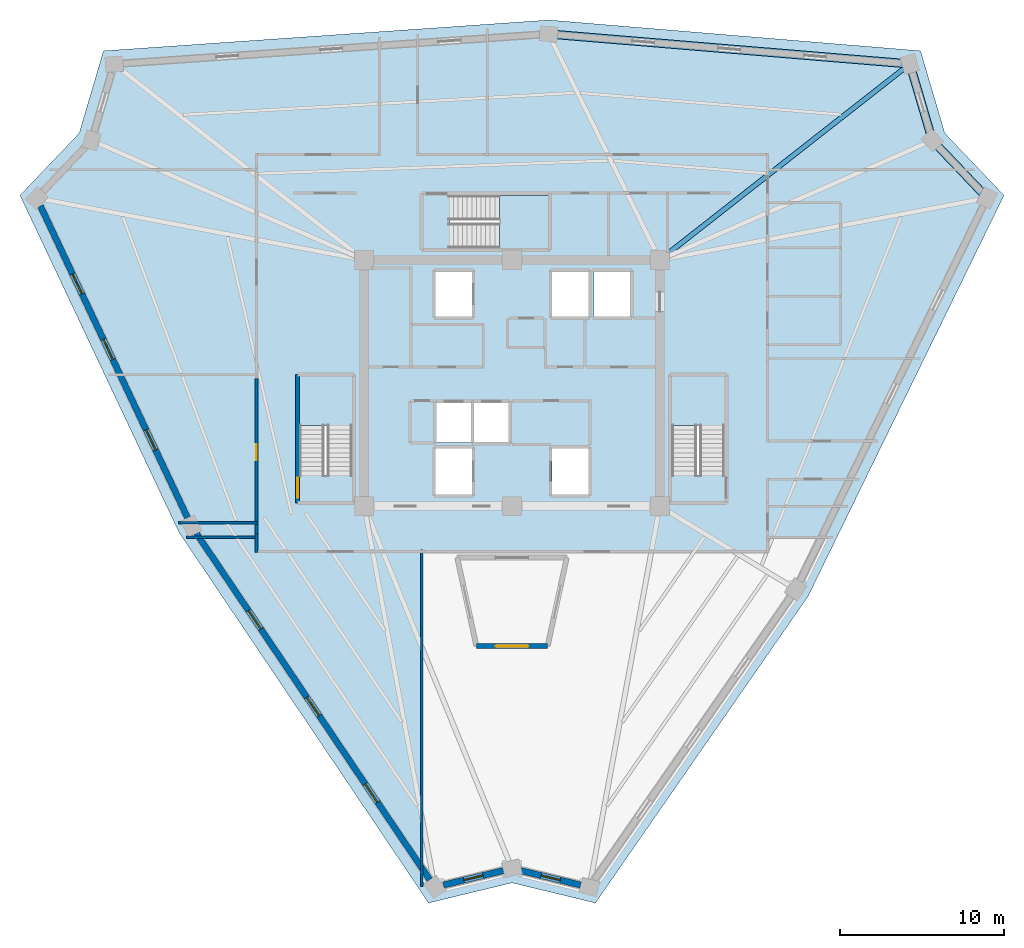
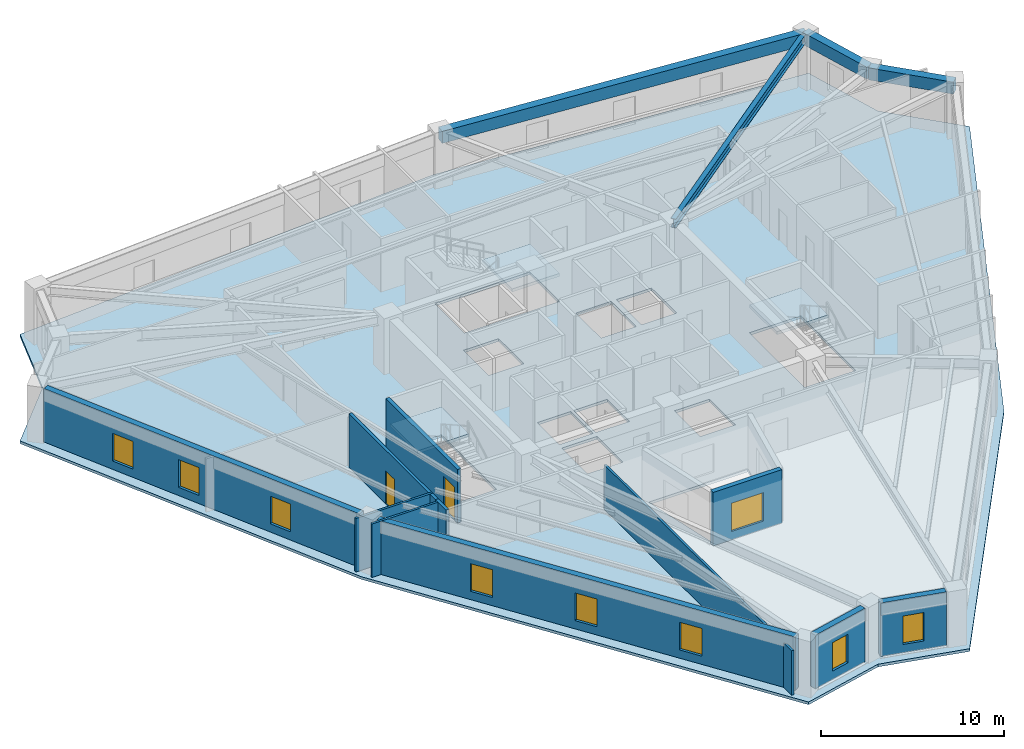
# One storey, part 2 of 10: 11 walls, 9 windows, 4 beams, 4 slabs, 2 doors, 11 openings, 3 elements without a shape of their own.
"""IFC4 building model written with IfcOpenShell, lengths in metres."""

import ifcopenshell
import ifcopenshell.guid

model = None  # the IFC model being written
_history = None  # IfcOwnerHistory: only IFC2X3 demands one
_inside = {}  # id of a spatial element -> (the spatial element, [elements in it])
_under = {}  # id of a project, library or spatial element -> (it, [spatial elements below it])
_declared = {}  # id of a project -> (the project, [libraries it declares])
_typed = {}  # id of a type object -> (the type object, [elements of that type])
_made_of = {}  # id of a material, layer set ... -> (it, [elements and type objects made of it])


def new_model(schema):
    """Start an empty IFC model of exactly this schema.

    Asked for "IFC4X3", IfcOpenShell would pick the latest addendum, in which some entities
    have other attributes; the version numbers below select the first issue.
    IFC2X3 requires an IfcOwnerHistory on every rooted entity: one is made here for all.
    """
    global model, _history
    if schema == "IFC4X3":
        model = ifcopenshell.file(schema_version=(4, 3, 0, 0))
    else:
        model = ifcopenshell.file(schema=schema)
    _inside.clear()
    _under.clear()
    _declared.clear()
    _typed.clear()
    _made_of.clear()
    _history = None
    if model.schema == "IFC2X3":
        org = make("IfcOrganization", Name="unknown")
        user = make(
            "IfcPersonAndOrganization",
            ThePerson=make("IfcPerson", FamilyName="unknown"),
            TheOrganization=org,
        )
        app = make(
            "IfcApplication",
            ApplicationDeveloper=org,
            Version="unknown",
            ApplicationFullName="unknown",
            ApplicationIdentifier="unknown",
        )
        _history = make(
            "IfcOwnerHistory",
            OwningUser=user,
            OwningApplication=app,
            ChangeAction="ADDED",
            CreationDate=0,
        )
    return model


def make(cls, **values):
    """One entity of the class cls with the attributes given. An attribute that is None is left unset."""
    return model.create_entity(
        cls, **{name: value for name, value in values.items() if value is not None}
    )


def rooted(cls, **values):
    """An entity with a GlobalId (a new one), such as an element, a storey or a relation."""
    return make(cls, GlobalId=ifcopenshell.guid.new(), OwnerHistory=_history, **values)


def si_unit(unit_type, name, prefix=None):
    """IfcSIUnit, for example si_unit("LENGTHUNIT", "METRE", prefix="MILLI")."""
    return make("IfcSIUnit", UnitType=unit_type, Prefix=prefix, Name=name)


def assignment(units):
    """IfcUnitAssignment: the units of a project."""
    return None if units is None else make("IfcUnitAssignment", Units=units)


def point(xyz):
    """IfcCartesianPoint."""
    return None if xyz is None else make("IfcCartesianPoint", Coordinates=xyz)


def direction(xyz):
    """IfcDirection."""
    return None if xyz is None else make("IfcDirection", DirectionRatios=xyz)


def frame(location, z_axis=None, x_axis=None):
    """IfcAxis2Placement3D, a coordinate frame: its origin and axes. An axis left out is left unset."""
    return make(
        "IfcAxis2Placement3D",
        Location=point(location),
        Axis=direction(z_axis),
        RefDirection=direction(x_axis),
    )


def frame_2d(location, x_axis=None):
    """IfcAxis2Placement2D, a coordinate frame in the plane: its origin and x axis."""
    return make(
        "IfcAxis2Placement2D", Location=point(location), RefDirection=direction(x_axis)
    )


def origin():
    """The frame at (0, 0, 0) with its axes left unset."""
    return frame((0.0, 0.0, 0.0))


def origin_2d():
    """The frame at (0, 0) in the plane with its x axis left unset."""
    return frame_2d((0.0, 0.0))


def place(relative_to, where):
    """IfcLocalPlacement: puts the frame where relative to a parent placement (None: the world)."""
    return make(
        "IfcLocalPlacement", PlacementRelTo=relative_to, RelativePlacement=where
    )


def context(
    kind, dimensions, precision=None, world=None, true_north=None, identifier=None
):
    """IfcGeometricRepresentationContext, for example the 3D "Model" context."""
    return make(
        "IfcGeometricRepresentationContext",
        ContextIdentifier=identifier,
        ContextType=kind,
        CoordinateSpaceDimension=dimensions,
        Precision=precision,
        WorldCoordinateSystem=world,
        TrueNorth=true_north,
    )


def subcontext(parent, identifier, kind, view, scale=None):
    """IfcGeometricRepresentationSubContext, for example "Body" below "Model"."""
    return make(
        "IfcGeometricRepresentationSubContext",
        ContextIdentifier=identifier,
        ContextType=kind,
        ParentContext=parent,
        TargetScale=scale,
        TargetView=view,
    )


def project(units=None, contexts=None):
    """IfcProject with its units and contexts."""
    return rooted(
        "IfcProject",
        Name="project",
        RepresentationContexts=contexts,
        UnitsInContext=assignment(units),
    )


def spatial(cls, under=None, at=None, **own):
    """A site, building, storey or space (cls), placed at a placement, below another one or the project."""
    s = rooted(cls, ObjectPlacement=at, **own)
    if under is not None:
        _under.setdefault(under.id(), (under, []))[1].append(s)
    return s


def polyline(points):
    """IfcPolyline through the points."""
    return make("IfcPolyline", Points=[point(p) for p in points])


def profile(cls, at=None, kind="AREA", **sizes):
    """A parametric profile (cls). Its sizes go by their IFC names, for example OverallWidth=200.0."""
    return make(cls, ProfileType=kind, Position=at, **sizes)


def rectangle(**sizes):
    """IfcRectangleProfileDef."""
    return profile("IfcRectangleProfileDef", **sizes)


def i_section(**sizes):
    """IfcIShapeProfileDef."""
    return profile("IfcIShapeProfileDef", **sizes)


def outline(outer, holes=None, kind="AREA"):
    """IfcArbitraryClosedProfileDef: a profile drawn as a closed curve; with holes, ...WithVoids."""
    if holes is None:
        return make("IfcArbitraryClosedProfileDef", ProfileType=kind, OuterCurve=outer)
    return make(
        "IfcArbitraryProfileDefWithVoids",
        ProfileType=kind,
        OuterCurve=outer,
        InnerCurves=holes,
    )


def extrude(swept, where, along, depth):
    """IfcExtrudedAreaSolid: the profile swept, set in the frame where, extruded along a direction by depth."""
    return make(
        "IfcExtrudedAreaSolid",
        SweptArea=swept,
        Position=where,
        ExtrudedDirection=direction(along),
        Depth=depth,
    )


def shape(context_of_items, identifier, shape_type, items):
    """IfcShapeRepresentation: the items that make up one representation, for example the "Body"."""
    return make(
        "IfcShapeRepresentation",
        ContextOfItems=context_of_items,
        RepresentationIdentifier=identifier,
        RepresentationType=shape_type,
        Items=items,
    )


def source(mapping_origin, context_of_items, identifier, shape_type, items):
    """IfcRepresentationMap: a shape defined once, which mapped items show again and again."""
    return make(
        "IfcRepresentationMap",
        MappingOrigin=mapping_origin,
        MappedRepresentation=shape(context_of_items, identifier, shape_type, items),
    )


def transform(
    local_origin,
    x_axis=None,
    y_axis=None,
    z_axis=None,
    scale=None,
    scale2=None,
    scale3=None,
    uniform=True,
):
    """IfcCartesianTransformationOperator3D, or its non-uniform kind. x_axis, y_axis, z_axis: its Axis1, 2, 3."""
    if uniform:
        return make(
            "IfcCartesianTransformationOperator3D",
            Axis1=direction(x_axis),
            Axis2=direction(y_axis),
            LocalOrigin=point(local_origin),
            Scale=scale,
            Axis3=direction(z_axis),
        )
    return make(
        "IfcCartesianTransformationOperator3DnonUniform",
        Axis1=direction(x_axis),
        Axis2=direction(y_axis),
        LocalOrigin=point(local_origin),
        Scale=scale,
        Axis3=direction(z_axis),
        Scale2=scale2,
        Scale3=scale3,
    )


def mapped(mapping_source, mapping_target):
    """IfcMappedItem: shows the shape of a source again, moved by a transform."""
    return make(
        "IfcMappedItem", MappingSource=mapping_source, MappingTarget=mapping_target
    )


def material(Name=None, Category=None):
    """IfcMaterial."""
    return make("IfcMaterial", Name=Name, Category=Category)


def layer(
    of_material, thickness, ventilated=None, Name=None, Category=None, Priority=None
):
    """IfcMaterialLayer: one layer of a wall or slab, of a material (None: an air gap)."""
    return make(
        "IfcMaterialLayer",
        Material=of_material,
        LayerThickness=thickness,
        IsVentilated=ventilated,
        Name=Name,
        Category=Category,
        Priority=Priority,
    )


def layer_set(layers, Name=None):
    """IfcMaterialLayerSet."""
    return make("IfcMaterialLayerSet", MaterialLayers=layers, LayerSetName=Name)


def material_profile(
    of_material, cross_section, Name=None, Category=None, Priority=None
):
    """IfcMaterialProfile: a cross section and its material."""
    return make(
        "IfcMaterialProfile",
        Name=Name,
        Material=of_material,
        Profile=cross_section,
        Priority=Priority,
        Category=Category,
    )


def profile_set(profiles, Name=None, composite=None):
    """IfcMaterialProfileSet."""
    return make(
        "IfcMaterialProfileSet",
        Name=Name,
        MaterialProfiles=profiles,
        CompositeProfile=composite,
    )


def made_of(thing, what):
    """Note that an element or type object is made of a material, layer set ...; save() writes the relation."""
    if what is not None:
        _made_of.setdefault(what.id(), (what, []))[1].append(thing)
    return thing


def type_object(cls, material=None, **own):
    """A type object (cls), such as IfcWallType, which elements share."""
    return made_of(rooted(cls, **own), material)


def element(
    cls,
    number,
    at=None,
    inside=None,
    cuts=None,
    type_object=None,
    material=None,
    context=None,
    identifier="Body",
    shape_type=None,
    held_by="IfcProductDefinitionShape",
    body=None,
    shapes=None,
    **own,
):
    """One element of the class cls, such as IfcWall. Its Tag is "e" and its number.

    at: its placement. inside: the storey or other place that contains it. cuts: it is an
    opening in that element (IfcRelVoidsElement). A single representation is given by context,
    identifier, shape_type and body (its items); several are given by shapes. held_by: the class
    of the entity that holds the representations. save() writes the other relations.
    """
    e = rooted(cls, Tag="e%d" % number, ObjectPlacement=at, **own)
    if body is not None:
        shapes = [shape(context, identifier, shape_type, body)]
    if shapes is not None:
        e.Representation = make(held_by, Representations=shapes)
    if inside is not None:
        _inside.setdefault(inside.id(), (inside, []))[1].append(e)
    if cuts is not None:
        rooted(
            "IfcRelVoidsElement", RelatingBuildingElement=cuts, RelatedOpeningElement=e
        )
    if type_object is not None:
        _typed.setdefault(type_object.id(), (type_object, []))[1].append(e)
    return made_of(e, material)


def fill(opening, filler):
    """IfcRelFillsElement: the door or window that sits in an opening."""
    return rooted(
        "IfcRelFillsElement",
        RelatingOpeningElement=opening,
        RelatedBuildingElement=filler,
    )


def aggregate(whole, parts):
    """IfcRelAggregates: a whole, such as a stair, and the parts it consists of."""
    return rooted("IfcRelAggregates", RelatingObject=whole, RelatedObjects=parts)


def save(model, path):
    """Write the relations noted so far, then the file.

    IfcRelAggregates (storeys below a building ...), IfcRelContainedInSpatialStructure (elements
    in a storey), IfcRelDefinesByType, IfcRelAssociatesMaterial and IfcRelDeclares: one each for
    every whole, place, type object, material and project.
    """
    for whole, parts in _under.values():
        aggregate(whole, parts)
    for where, things in _inside.values():
        rooted(
            "IfcRelContainedInSpatialStructure",
            RelatedElements=things,
            RelatingStructure=where,
        )
    for kind, things in _typed.values():
        rooted("IfcRelDefinesByType", RelatedObjects=things, RelatingType=kind)
    for what, things in _made_of.values():
        rooted("IfcRelAssociatesMaterial", RelatedObjects=things, RelatingMaterial=what)
    for by, libraries in _declared.values():
        rooted("IfcRelDeclares", RelatingContext=by, RelatedDefinitions=libraries)
    model.write(path)


model = new_model("IFC4")

# Units and contexts
model_context = context("Model", 3, precision=1e-05, world=origin(), true_north=direction((0.0, 1.0)))
body_context = subcontext(model_context, "Body", "Model", "MODEL_VIEW")
ifc_project = project(units=[si_unit("LENGTHUNIT", "METRE"), si_unit("AREAUNIT", "SQUARE_METRE"), si_unit("VOLUMEUNIT", "CUBIC_METRE"), si_unit("PLANEANGLEUNIT", "RADIAN"), si_unit("MASSUNIT", "GRAM", prefix="KILO")], contexts=[model_context])

# Site, building, storey
site_placement = place(None, origin())
site = spatial("IfcSite", under=ifc_project, at=site_placement, CompositionType="ELEMENT")
building_placement = place(site_placement, origin())
building = spatial("IfcBuilding", under=site, at=building_placement, Name="Liaohun Quay Tower", CompositionType="ELEMENT")
storey_placement = place(building_placement, frame((0.0, 0.0, 339.75)))
storey = spatial("IfcBuildingStorey", under=building, at=storey_placement, Name="L88", CompositionType="ELEMENT", Elevation=339.75)

# Beams
ifc_material_1 = material(Name="Steel Q355D", Category="steel")
ifc_material_profile_1 = material_profile(ifc_material_1, i_section(OverallWidth=0.300048828125, OverallDepth=0.587890625, WebThickness=0.011962890625, FlangeThickness=0.02001953125, at=origin_2d()), Name="HM588x300x12x20")
ifc_profile_set_1 = profile_set([ifc_material_profile_1], Name="Steel Q355D")
beam_type_1 = type_object("IfcBeamType", Name="BM-RAD-U2", PredefinedType="BEAM", material=ifc_profile_set_1)
shared_shape_1 = source(origin(), body_context, "Body", "SweptSolid", [
    extrude(i_section(OverallWidth=0.300048828125, OverallDepth=0.587890625, WebThickness=0.011962890625, FlangeThickness=0.02001953125, at=origin_2d()), origin(), (0.0, 0.0, 1.0), 19.355224609375),
])
beam_1_placement = place(storey_placement, frame((69.0, 61.5, 3.27587890625), z_axis=(0.787132213405, 0.616784304778, 0.0), x_axis=(-0.616784304778, 0.787132213405, 0.0)))
element("IfcBeam", 1, at=beam_1_placement, inside=storey, type_object=beam_type_1, Name="L88 Radial Primary Girder CC4-PC07", PredefinedType="BEAM", context=body_context, shape_type="MappedRepresentation", body=[
    mapped(shared_shape_1, transform((0.0, 0.0, 0.0), x_axis=(1.0, 0.0, 0.0), y_axis=(0.0, 1.0, 0.0), z_axis=(0.0, 0.0, 1.0), scale=1.0)),
])
ifc_material_2 = material(Name="Precast concrete C50", Category="concrete")
ifc_material_profile_2 = material_profile(ifc_material_2, rectangle(XDim=0.5, YDim=0.800048828125, at=origin_2d()), Name="RC500x800")
ifc_profile_set_2 = profile_set([ifc_material_profile_2], Name="Precast concrete C50")
beam_type_2 = type_object("IfcBeamType", Name="BM-SPD-Z4", PredefinedType="SPANDREL", material=ifc_profile_set_2)
shared_shape_2 = source(origin(), body_context, "Body", "SweptSolid", [
    extrude(rectangle(XDim=0.5, YDim=0.800048828125, at=origin_2d()), origin(), (0.0, 0.0, 1.0), 22.07666015625),
])
beam_2_placement = place(storey_placement, frame((62.23388671875, 75.262939453125, 3.169921875), z_axis=(0.996577488484, -0.082663833976, 0.0), x_axis=(0.082663833976, 0.996577488484, 0.0)))
element("IfcBeam", 2, at=beam_2_placement, inside=storey, type_object=beam_type_2, Name="L88 Precast Spandrel Beam PC06-PC07", PredefinedType="SPANDREL", context=body_context, shape_type="MappedRepresentation", body=[
    mapped(shared_shape_2, transform((0.0, 0.0, 0.0), x_axis=(1.0, 0.0, 0.0), y_axis=(0.0, 1.0, 0.0), z_axis=(0.0, 0.0, 1.0), scale=1.0)),
])
shared_shape_3 = source(origin(), body_context, "Body", "SweptSolid", [
    extrude(rectangle(XDim=0.5, YDim=0.800048828125, at=origin_2d()), origin(), (0.0, 0.0, 1.0), 4.85205078125),
])
beam_3_placement = place(storey_placement, frame((84.235107421875, 73.43798828125, 3.169921875), z_axis=(0.282732905255, -0.959198678213, 0.0), x_axis=(0.959198678213, 0.282732905255, 0.0)))
element("IfcBeam", 3, at=beam_3_placement, inside=storey, type_object=beam_type_2, Name="L88 Precast Spandrel Beam PC07-PC08", PredefinedType="SPANDREL", context=body_context, shape_type="MappedRepresentation", body=[
    mapped(shared_shape_3, transform((0.0, 0.0, 0.0), x_axis=(1.0, 0.0, 0.0), y_axis=(0.0, 1.0, 0.0), z_axis=(0.0, 0.0, 1.0), scale=1.0)),
])
shared_shape_4 = source(origin(), body_context, "Body", "SweptSolid", [
    extrude(rectangle(XDim=0.5, YDim=0.800048828125, at=origin_2d()), origin(), (0.0, 0.0, 1.0), 4.84326171875),
])
beam_4_placement = place(storey_placement, frame((85.60693359375, 68.783935546875, 3.169921875), z_axis=(0.689449970501, -0.724333305997, 0.0), x_axis=(0.724333305997, 0.689449970501, 0.0)))
element("IfcBeam", 4, at=beam_4_placement, inside=storey, type_object=beam_type_2, Name="L88 Precast Spandrel Beam PC08-PC09", PredefinedType="SPANDREL", context=body_context, shape_type="MappedRepresentation", body=[
    mapped(shared_shape_4, transform((0.0, 0.0, 0.0), x_axis=(1.0, 0.0, 0.0), y_axis=(0.0, 1.0, 0.0), z_axis=(0.0, 0.0, 1.0), scale=1.0)),
])

# Stair, slab
ifc_material_3 = material(Name="Concrete C45", Category="concrete")
stair_type = type_object("IfcStairType", Name="STR-CORE-OFF", PredefinedType="HALF_TURN_STAIR", material=ifc_material_3)
stair_1_placement = place(storey_placement, origin())
stair_1 = element("IfcStair", 5, at=stair_1_placement, inside=storey, type_object=stair_type, Name="L88 Smokeproof Core Exit Stair ST-1", PredefinedType="HALF_TURN_STAIR")
ifc_layer_1 = layer(ifc_material_3, 0.199951171875, Name="Concrete C45", Category="concrete")
ifc_layer_set_1 = layer_set([ifc_layer_1], Name="Concrete C45")
slab_type_1 = type_object("IfcSlabType", Name="SLB-LND-200", PredefinedType="LANDING", material=ifc_layer_set_1)
slab_1_placement = place(storey_placement, frame((0.0, 0.0, 1.675048828125)))
slab_1 = element("IfcSlab", 6, at=slab_1_placement, type_object=slab_type_1, Name="ST-1 landing 1", PredefinedType="LANDING", context=body_context, shape_type="SweptSolid", body=[
    extrude(outline(polyline([(50.280029296875, 51.429931640625), (50.280029296875, 54.419921875), (47.0400390625, 54.419921875), (47.0400390625, 51.429931640625), (50.280029296875, 51.429931640625)])), origin(), (0.0, 0.0, 1.0), 0.199951171875),
])
aggregate(stair_1, [slab_1])

stair_2_placement = place(storey_placement, origin())
stair_2 = element("IfcStair", 7, at=stair_2_placement, inside=storey, type_object=stair_type, Name="L88 Smokeproof Core Exit Stair ST-2", PredefinedType="HALF_TURN_STAIR")
slab_2_placement = place(storey_placement, frame((0.0, 0.0, 1.675048828125)))
slab_2 = element("IfcSlab", 8, at=slab_2_placement, type_object=slab_type_1, Name="ST-2 landing 1", PredefinedType="LANDING", context=body_context, shape_type="SweptSolid", body=[
    extrude(outline(polyline([(72.9599609375, 51.429931640625), (72.9599609375, 54.419921875), (69.719970703125, 54.419921875), (69.719970703125, 51.429931640625), (72.9599609375, 51.429931640625)])), origin(), (0.0, 0.0, 1.0), 0.199951171875),
])
aggregate(stair_2, [slab_2])

stair_3_placement = place(storey_placement, origin())
stair_3 = element("IfcStair", 9, at=stair_3_placement, inside=storey, type_object=stair_type, Name="L88 Smokeproof Core Exit Stair ST-3", PredefinedType="HALF_TURN_STAIR")
slab_3_placement = place(storey_placement, frame((0.0, 0.0, 1.675048828125)))
slab_3 = element("IfcSlab", 10, at=slab_3_placement, type_object=slab_type_1, Name="ST-3 landing 1", PredefinedType="LANDING", context=body_context, shape_type="SweptSolid", body=[
    extrude(outline(polyline([(59.22998046875, 62.199951171875), (62.219970703125, 62.199951171875), (62.219970703125, 65.43994140625), (59.22998046875, 65.43994140625), (59.22998046875, 62.199951171875)])), origin(), (0.0, 0.0, 1.0), 0.199951171875),
])
aggregate(stair_3, [slab_3])

# Slab
ifc_layer_2 = layer(ifc_material_3, 0.179931640625, Name="Concrete C45", Category="concrete")
ifc_layer_set_2 = layer_set([ifc_layer_2], Name="Concrete C45")
slab_type_2 = type_object("IfcSlabType", Name="SLB-OFF-180", PredefinedType="FLOOR", material=ifc_layer_set_2)
slab_4_placement = place(storey_placement, frame((0.0, 0.0, -0.179931640625)))
element("IfcSlab", 11, at=slab_4_placement, inside=storey, type_object=slab_type_2, Name="L88 Structural Floor Slab", PredefinedType="FLOOR", context=body_context, shape_type="SweptSolid", body=[
    extrude(outline(polyline([(54.91796875, 22.3291015625), (60.0, 23.556884765625), (65.08203125, 22.3291015625), (78.031982421875, 41.0029296875), (89.968994140625, 65.43408203125), (86.364013671875, 69.220947265625), (84.885986328125, 74.237060546875), (62.239990234375, 76.114990234375), (35.114013671875, 74.237060546875), (33.635986328125, 69.220947265625), (30.031005859375, 65.43408203125), (39.72802734375, 44.882080078125), (54.91796875, 22.3291015625)]), holes=[polyline([(57.56005859375, 50.030029296875), (55.340087890625, 50.030029296875), (55.340087890625, 47.2099609375), (57.56005859375, 47.2099609375), (57.56005859375, 50.030029296875)]), polyline([(47.0400390625, 54.419921875), (47.0400390625, 48.409912109375), (50.280029296875, 48.409912109375), (50.280029296875, 54.419921875), (47.0400390625, 54.419921875)]), polyline([(57.510009765625, 52.81005859375), (55.389892578125, 52.81005859375), (55.389892578125, 50.389892578125), (57.510009765625, 50.389892578125), (57.510009765625, 52.81005859375)]), polyline([(59.81005859375, 50.389892578125), (59.81005859375, 52.81005859375), (57.68994140625, 52.81005859375), (57.68994140625, 50.389892578125), (59.81005859375, 50.389892578125)]), polyline([(57.56005859375, 58.0400390625), (57.56005859375, 60.7900390625), (55.340087890625, 60.7900390625), (55.340087890625, 58.0400390625), (57.56005859375, 58.0400390625)]), polyline([(62.219970703125, 65.43994140625), (56.2099609375, 65.43994140625), (56.2099609375, 62.199951171875), (62.219970703125, 62.199951171875), (62.219970703125, 65.43994140625)]), polyline([(62.031005859375, 38.14111328125), (63.125, 43.199951171875), (56.875, 43.199951171875), (57.968994140625, 38.14111328125), (62.031005859375, 38.14111328125)]), polyline([(64.659912109375, 47.2099609375), (64.659912109375, 50.030029296875), (62.43994140625, 50.030029296875), (62.43994140625, 47.2099609375), (64.659912109375, 47.2099609375)]), polyline([(69.719970703125, 54.419921875), (69.719970703125, 48.409912109375), (72.9599609375, 48.409912109375), (72.9599609375, 54.419921875), (69.719970703125, 54.419921875)]), polyline([(64.659912109375, 58.0400390625), (64.659912109375, 60.7900390625), (62.43994140625, 60.7900390625), (62.43994140625, 58.0400390625), (64.659912109375, 58.0400390625)]), polyline([(67.2099609375, 58.0400390625), (67.2099609375, 60.7900390625), (64.989990234375, 60.7900390625), (64.989990234375, 58.0400390625), (67.2099609375, 58.0400390625)])]), origin(), (0.0, 0.0, 1.0), 0.179931640625),
])

# Wall, opening, window
ifc_material_4 = material(Name="Concrete C50", Category="concrete")
ifc_layer_3 = layer(ifc_material_4, 0.300048828125, Name="Concrete C50", Category="concrete")
ifc_layer_set_3 = layer_set([ifc_layer_3], Name="Concrete C50")
wall_type_1 = type_object("IfcWallType", Name="WAL-ATR-300", PredefinedType="SOLIDWALL", material=ifc_layer_set_3)
wall_1_placement = place(storey_placement, frame((62.16796875, 37.970947265625, 0.0), z_axis=(0.0, 0.0, 1.0), x_axis=(-1.0, 0.0, 0.0)))
wall_1 = element("IfcWall", 12, at=wall_1_placement, inside=storey, type_object=wall_type_1, Name="L88 Atrium Fire Compartment Wall 4", PredefinedType="SOLIDWALL", context=body_context, shape_type="SweptSolid", body=[
    extrude(rectangle(XDim=4.3359375, YDim=0.300048828125, at=frame_2d((2.16796875, 0.0))), origin(), (0.0, 0.0, 1.0), 3.570068359375),
])
shared_shape_5 = source(origin(), body_context, "Body", "SweptSolid", [
    extrude(rectangle(XDim=2.0, YDim=1.89990234375, at=frame_2d((1.0, 0.949951171875))), frame((0.0, 0.159912109375, 0.0), z_axis=(0.0, -1.0, 0.0), x_axis=(1.0, 0.0, 0.0)), (0.0, 0.0, 1.0), 0.320068359375),
])
opening_1_placement = place(wall_1_placement, frame((1.16796875, 0.0, 0.550048828125)))
opening_1 = element("IfcOpeningElement", 13, at=opening_1_placement, cuts=wall_1, Name="Opening W07", PredefinedType="OPENING", context=body_context, shape_type="MappedRepresentation", body=[
    mapped(shared_shape_5, transform((0.0, 0.0, 0.0), x_axis=(1.0, 0.0, 0.0), y_axis=(0.0, 1.0, 0.0), z_axis=(0.0, 0.0, 1.0), scale=1.0)),
])
ifc_material_5 = material(Name="Class A 180-min fire-resistant insulated glazing", Category="glass")
window_type_1 = type_object("IfcWindowType", Name="WIN-ATR-FIR", PartitioningType="DOUBLE_PANEL_VERTICAL", PredefinedType="WINDOW", material=ifc_material_5)
shared_shape_6 = source(origin(), body_context, "Body", "SweptSolid", [
    extrude(rectangle(XDim=2.0, YDim=1.89990234375, at=frame_2d((1.0, 0.949951171875))), frame((0.0, 0.030029296875, 0.0), z_axis=(0.0, -1.0, 0.0), x_axis=(1.0, 0.0, 0.0)), (0.0, 0.0, 1.0), 0.06005859375),
])
window_1_placement = place(opening_1_placement, origin())
window_1 = element("IfcWindow", 14, at=window_1_placement, inside=storey, type_object=window_type_1, Name="L88 Atrium Fire-Resistant Glazing W07-4", OverallHeight=1.89990234375, OverallWidth=2.0, PartitioningType="DOUBLE_PANEL_VERTICAL", PredefinedType="WINDOW", context=body_context, shape_type="MappedRepresentation", body=[
    mapped(shared_shape_6, transform((0.0, 0.0, 0.0), x_axis=(1.0, 0.0, 0.0), y_axis=(0.0, 1.0, 0.0), z_axis=(0.0, 0.0, 1.0), scale=1.0)),
])
fill(opening_1, window_1)

ifc_material_6 = material(Name="Precast concrete C50 insulated sandwich", Category="concrete")
ifc_layer_4 = layer(ifc_material_6, 0.3798828125, Name="Precast concrete C50 insulated sandwich", Category="concrete")
ifc_layer_set_4 = layer_set([ifc_layer_4], Name="Precast concrete C50 insulated sandwich")
wall_type_2 = type_object("IfcWallType", Name="WAL-EXT-Z34", PredefinedType="SOLIDWALL", material=ifc_layer_set_4)
wall_2_placement = place(storey_placement, frame((60.52490234375, 24.303955078125, 0.0), z_axis=(0.0, 0.0, 1.0), x_axis=(0.972061323931, -0.234727038319, 0.0)))
wall_2 = element("IfcWall", 15, at=wall_2_placement, inside=storey, type_object=wall_type_2, Name="L88 Brutalist Precast Pier Wall 01", PredefinedType="SOLIDWALL", context=body_context, shape_type="SweptSolid", body=[
    extrude(rectangle(XDim=3.770263671875, YDim=0.3798828125, at=frame_2d((1.88525390625, 0.0))), origin(), (0.0, 0.0, 1.0), 3.570068359375),
])
shared_shape_7 = source(origin(), body_context, "Body", "SweptSolid", [
    extrude(rectangle(XDim=1.199951171875, YDim=1.89990234375, at=frame_2d((0.60009765625, 0.949951171875))), frame((0.0, 0.199951171875, 0.0), z_axis=(0.0, -1.0, 0.0), x_axis=(1.0, 0.0, 0.0)), (0.0, 0.0, 1.0), 0.39990234375),
])
opening_2_placement = place(wall_2_placement, frame((1.284912109375, 0.0, 0.550048828125)))
opening_2 = element("IfcOpeningElement", 16, at=opening_2_placement, cuts=wall_2, Name="Opening W05", PredefinedType="OPENING", context=body_context, shape_type="MappedRepresentation", body=[
    mapped(shared_shape_7, transform((0.0, 0.0, 0.0), x_axis=(1.0, 0.0, 0.0), y_axis=(0.0, 1.0, 0.0), z_axis=(0.0, 0.0, 1.0), scale=1.0)),
])
ifc_material_7 = material(Name="Triple Low-E corner notch glazing", Category="glass")
window_type_2 = type_object("IfcWindowType", Name="WIN-NOTCH", PartitioningType="SINGLE_PANEL", PredefinedType="WINDOW", material=ifc_material_7)
shared_shape_8 = source(origin(), body_context, "Body", "SweptSolid", [
    extrude(rectangle(XDim=1.199951171875, YDim=1.89990234375, at=frame_2d((0.60009765625, 0.949951171875))), frame((0.0, 0.030029296875, 0.0), z_axis=(0.0, -1.0, 0.0), x_axis=(1.0, 0.0, 0.0)), (0.0, 0.0, 1.0), 0.06005859375),
])
window_2_placement = place(opening_2_placement, origin())
window_2 = element("IfcWindow", 17, at=window_2_placement, inside=storey, type_object=window_type_2, Name="L88 Corner Notch Window W05-01", OverallHeight=1.89990234375, OverallWidth=1.199951171875, PartitioningType="SINGLE_PANEL", PredefinedType="WINDOW", context=body_context, shape_type="MappedRepresentation", body=[
    mapped(shared_shape_8, transform((0.0, 0.0, 0.0), x_axis=(1.0, 0.0, 0.0), y_axis=(0.0, 1.0, 0.0), z_axis=(0.0, 0.0, 1.0), scale=1.0)),
])
fill(opening_2, window_2)

# Wall, openings, windows
wall_3_placement = place(storey_placement, frame((31.278076171875, 64.781982421875, 0.0), z_axis=(0.0, 0.0, 1.0), x_axis=(0.426732975356, -0.904377668756, 0.0)))
wall_3 = element("IfcWall", 18, at=wall_3_placement, inside=storey, type_object=wall_type_2, Name="L88 Brutalist Precast Pier Wall 10", PredefinedType="SOLIDWALL", context=body_context, shape_type="SweptSolid", body=[
    extrude(rectangle(XDim=20.9990234375, YDim=0.3798828125, at=frame_2d((10.49951171875, 0.0))), origin(), (0.0, 0.0, 1.0), 3.570068359375),
])
shared_shape_9 = source(origin(), body_context, "Body", "SweptSolid", [
    extrude(rectangle(XDim=1.35009765625, YDim=1.85009765625, at=frame_2d((0.675048828125, 0.925048828125))), frame((0.0, 0.199951171875, 0.0), z_axis=(0.0, -1.0, 0.0), x_axis=(1.0, 0.0, 0.0)), (0.0, 0.0, 1.0), 0.39990234375),
])
opening_3_placement = place(wall_3_placement, frame((4.574951171875, 0.0, 0.550048828125)))
opening_3 = element("IfcOpeningElement", 19, at=opening_3_placement, cuts=wall_3, Name="Opening W04", PredefinedType="OPENING", context=body_context, shape_type="MappedRepresentation", body=[
    mapped(shared_shape_9, transform((0.0, 0.0, 0.0), x_axis=(1.0, 0.0, 0.0), y_axis=(0.0, 1.0, 0.0), z_axis=(0.0, 0.0, 1.0), scale=1.0)),
])
opening_4_placement = place(wall_3_placement, frame((8.97412109375, 0.0, 0.550048828125)))
opening_4 = element("IfcOpeningElement", 20, at=opening_4_placement, cuts=wall_3, Name="Opening W04", PredefinedType="OPENING", context=body_context, shape_type="MappedRepresentation", body=[
    mapped(shared_shape_9, transform((0.0, 0.0, 0.0), x_axis=(1.0, 0.0, 0.0), y_axis=(0.0, 1.0, 0.0), z_axis=(0.0, 0.0, 1.0), scale=1.0)),
])
opening_5_placement = place(wall_3_placement, frame((15.073974609375, 0.0, 0.550048828125)))
opening_5 = element("IfcOpeningElement", 21, at=opening_5_placement, cuts=wall_3, Name="Opening W04", PredefinedType="OPENING", context=body_context, shape_type="MappedRepresentation", body=[
    mapped(shared_shape_9, transform((0.0, 0.0, 0.0), x_axis=(1.0, 0.0, 0.0), y_axis=(0.0, 1.0, 0.0), z_axis=(0.0, 0.0, 1.0), scale=1.0)),
])
ifc_material_8 = material(Name="Triple Low-E argon glazing in thermally broken aluminium", Category="aluminium")
window_type_3 = type_object("IfcWindowType", Name="WIN-PUN-Z4", PartitioningType="SINGLE_PANEL", PredefinedType="WINDOW", material=ifc_material_8)
shared_shape_10 = source(origin(), body_context, "Body", "SweptSolid", [
    extrude(rectangle(XDim=1.35009765625, YDim=1.85009765625, at=frame_2d((0.675048828125, 0.925048828125))), frame((0.0, 0.030029296875, 0.0), z_axis=(0.0, -1.0, 0.0), x_axis=(1.0, 0.0, 0.0)), (0.0, 0.0, 1.0), 0.06005859375),
])
window_3_placement = place(opening_3_placement, origin())
window_3 = element("IfcWindow", 22, at=window_3_placement, inside=storey, type_object=window_type_3, Name="L88 Recessed Cold-Climate Punched Window 10-1", OverallHeight=1.85009765625, OverallWidth=1.35009765625, PartitioningType="SINGLE_PANEL", PredefinedType="WINDOW", context=body_context, shape_type="MappedRepresentation", body=[
    mapped(shared_shape_10, transform((0.0, 0.0, 0.0), x_axis=(1.0, 0.0, 0.0), y_axis=(0.0, 1.0, 0.0), z_axis=(0.0, 0.0, 1.0), scale=1.0)),
])
fill(opening_3, window_3)
window_4_placement = place(opening_4_placement, origin())
window_4 = element("IfcWindow", 23, at=window_4_placement, inside=storey, type_object=window_type_3, Name="L88 Recessed Cold-Climate Punched Window 10-2", OverallHeight=1.85009765625, OverallWidth=1.35009765625, PartitioningType="SINGLE_PANEL", PredefinedType="WINDOW", context=body_context, shape_type="MappedRepresentation", body=[
    mapped(shared_shape_10, transform((0.0, 0.0, 0.0), x_axis=(1.0, 0.0, 0.0), y_axis=(0.0, 1.0, 0.0), z_axis=(0.0, 0.0, 1.0), scale=1.0)),
])
fill(opening_4, window_4)
window_5_placement = place(opening_5_placement, origin())
window_5 = element("IfcWindow", 24, at=window_5_placement, inside=storey, type_object=window_type_3, Name="L88 Recessed Cold-Climate Punched Window 10-3", OverallHeight=1.85009765625, OverallWidth=1.35009765625, PartitioningType="SINGLE_PANEL", PredefinedType="WINDOW", context=body_context, shape_type="MappedRepresentation", body=[
    mapped(shared_shape_10, transform((0.0, 0.0, 0.0), x_axis=(1.0, 0.0, 0.0), y_axis=(0.0, 1.0, 0.0), z_axis=(0.0, 0.0, 1.0), scale=1.0)),
])
fill(opening_5, window_5)

wall_4_placement = place(storey_placement, frame((40.77099609375, 44.85498046875, 0.0), z_axis=(0.0, 0.0, 1.0), x_axis=(0.558627041585, -0.82941897037, 0.0)))
wall_4 = element("IfcWall", 25, at=wall_4_placement, inside=storey, type_object=wall_type_2, Name="L88 Brutalist Precast Pier Wall 11", PredefinedType="SOLIDWALL", context=body_context, shape_type="SweptSolid", body=[
    extrude(rectangle(XDim=25.455322265625, YDim=0.3798828125, at=frame_2d((12.7275390625, 0.0))), origin(), (0.0, 0.0, 1.0), 3.570068359375),
])
opening_6_placement = place(wall_4_placement, frame((5.68896484375, 0.0, 0.550048828125)))
opening_6 = element("IfcOpeningElement", 26, at=opening_6_placement, cuts=wall_4, Name="Opening W04", PredefinedType="OPENING", context=body_context, shape_type="MappedRepresentation", body=[
    mapped(shared_shape_9, transform((0.0, 0.0, 0.0), x_axis=(1.0, 0.0, 0.0), y_axis=(0.0, 1.0, 0.0), z_axis=(0.0, 0.0, 1.0), scale=1.0)),
])
opening_7_placement = place(wall_4_placement, frame((12.052978515625, 0.0, 0.550048828125)))
opening_7 = element("IfcOpeningElement", 27, at=opening_7_placement, cuts=wall_4, Name="Opening W04", PredefinedType="OPENING", context=body_context, shape_type="MappedRepresentation", body=[
    mapped(shared_shape_9, transform((0.0, 0.0, 0.0), x_axis=(1.0, 0.0, 0.0), y_axis=(0.0, 1.0, 0.0), z_axis=(0.0, 0.0, 1.0), scale=1.0)),
])
opening_8_placement = place(wall_4_placement, frame((18.416015625, 0.0, 0.550048828125)))
opening_8 = element("IfcOpeningElement", 28, at=opening_8_placement, cuts=wall_4, Name="Opening W04", PredefinedType="OPENING", context=body_context, shape_type="MappedRepresentation", body=[
    mapped(shared_shape_9, transform((0.0, 0.0, 0.0), x_axis=(1.0, 0.0, 0.0), y_axis=(0.0, 1.0, 0.0), z_axis=(0.0, 0.0, 1.0), scale=1.0)),
])
window_6_placement = place(opening_6_placement, origin())
window_6 = element("IfcWindow", 29, at=window_6_placement, inside=storey, type_object=window_type_3, Name="L88 Recessed Cold-Climate Punched Window 11-1", OverallHeight=1.85009765625, OverallWidth=1.35009765625, PartitioningType="SINGLE_PANEL", PredefinedType="WINDOW", context=body_context, shape_type="MappedRepresentation", body=[
    mapped(shared_shape_10, transform((0.0, 0.0, 0.0), x_axis=(1.0, 0.0, 0.0), y_axis=(0.0, 1.0, 0.0), z_axis=(0.0, 0.0, 1.0), scale=1.0)),
])
fill(opening_6, window_6)
window_7_placement = place(opening_7_placement, origin())
window_7 = element("IfcWindow", 30, at=window_7_placement, inside=storey, type_object=window_type_3, Name="L88 Recessed Cold-Climate Punched Window 11-2", OverallHeight=1.85009765625, OverallWidth=1.35009765625, PartitioningType="SINGLE_PANEL", PredefinedType="WINDOW", context=body_context, shape_type="MappedRepresentation", body=[
    mapped(shared_shape_10, transform((0.0, 0.0, 0.0), x_axis=(1.0, 0.0, 0.0), y_axis=(0.0, 1.0, 0.0), z_axis=(0.0, 0.0, 1.0), scale=1.0)),
])
fill(opening_7, window_7)
window_8_placement = place(opening_8_placement, origin())
window_8 = element("IfcWindow", 31, at=window_8_placement, inside=storey, type_object=window_type_3, Name="L88 Recessed Cold-Climate Punched Window 11-3", OverallHeight=1.85009765625, OverallWidth=1.35009765625, PartitioningType="SINGLE_PANEL", PredefinedType="WINDOW", context=body_context, shape_type="MappedRepresentation", body=[
    mapped(shared_shape_10, transform((0.0, 0.0, 0.0), x_axis=(1.0, 0.0, 0.0), y_axis=(0.0, 1.0, 0.0), z_axis=(0.0, 0.0, 1.0), scale=1.0)),
])
fill(opening_8, window_8)

# Wall, opening, window
wall_5_placement = place(storey_placement, frame((55.818115234375, 23.4208984375, 0.0), z_axis=(0.0, 0.0, 1.0), x_axis=(0.972061788498, 0.234725114427, 0.0)))
wall_5 = element("IfcWall", 32, at=wall_5_placement, inside=storey, type_object=wall_type_2, Name="L88 Brutalist Precast Pier Wall 12", PredefinedType="SOLIDWALL", context=body_context, shape_type="SweptSolid", body=[
    extrude(rectangle(XDim=3.76220703125, YDim=0.3798828125, at=frame_2d((1.881103515625, 0.0))), origin(), (0.0, 0.0, 1.0), 3.570068359375),
])
opening_9_placement = place(wall_5_placement, frame((1.281005859375, 0.0, 0.550048828125)))
opening_9 = element("IfcOpeningElement", 33, at=opening_9_placement, cuts=wall_5, Name="Opening W05", PredefinedType="OPENING", context=body_context, shape_type="MappedRepresentation", body=[
    mapped(shared_shape_7, transform((0.0, 0.0, 0.0), x_axis=(1.0, 0.0, 0.0), y_axis=(0.0, 1.0, 0.0), z_axis=(0.0, 0.0, 1.0), scale=1.0)),
])
window_9_placement = place(opening_9_placement, origin())
window_9 = element("IfcWindow", 34, at=window_9_placement, inside=storey, type_object=window_type_2, Name="L88 Corner Notch Window W05-12", OverallHeight=1.89990234375, OverallWidth=1.199951171875, PartitioningType="SINGLE_PANEL", PredefinedType="WINDOW", context=body_context, shape_type="MappedRepresentation", body=[
    mapped(shared_shape_8, transform((0.0, 0.0, 0.0), x_axis=(1.0, 0.0, 0.0), y_axis=(0.0, 1.0, 0.0), z_axis=(0.0, 0.0, 1.0), scale=1.0)),
])
fill(opening_9, window_9)

# Wall, opening, door
ifc_material_9 = material(Name="Autoclaved aerated concrete blockwork", Category="masonry")
ifc_layer_5 = layer(ifc_material_9, 0.179931640625, Name="Autoclaved aerated concrete blockwork", Category="masonry")
ifc_layer_set_5 = layer_set([ifc_layer_5], Name="Autoclaved aerated concrete blockwork")
wall_type_3 = type_object("IfcWallType", Name="WAL-PRT-COR", PredefinedType="PARTITIONING", material=ifc_layer_set_5)
wall_6_placement = place(storey_placement, frame((44.43994140625, 44.81494140625, 0.0), z_axis=(0.0, 0.0, 1.0), x_axis=(0.0, 1.0, 0.0)))
wall_6 = element("IfcWall", 35, at=wall_6_placement, inside=storey, type_object=wall_type_3, Name="L88 Interior Partition Wall 020", PredefinedType="PARTITIONING", context=body_context, shape_type="SweptSolid", body=[
    extrude(rectangle(XDim=9.469970703125, YDim=0.179931640625, at=frame_2d((4.73486328125, 0.0))), origin(), (0.0, 0.0, 1.0), 3.570068359375),
])
shared_shape_11 = source(origin(), body_context, "Body", "SweptSolid", [
    extrude(rectangle(XDim=1.0, YDim=2.199951171875, at=frame_2d((0.5, 1.10009765625))), frame((0.0, 0.099853515625, 0.0), z_axis=(0.0, -1.0, 0.0), x_axis=(1.0, 0.0, 0.0)), (0.0, 0.0, 1.0), 0.199951171875),
])
opening_10_placement = place(wall_6_placement, frame((4.469970703125, 0.0, 0.0)))
opening_10 = element("IfcOpeningElement", 36, at=opening_10_placement, cuts=wall_6, Name="Opening OD1", PredefinedType="OPENING", context=body_context, shape_type="MappedRepresentation", body=[
    mapped(shared_shape_11, transform((0.0, 0.0, 0.0), x_axis=(1.0, 0.0, 0.0), y_axis=(0.0, 1.0, 0.0), z_axis=(0.0, 0.0, 1.0), scale=1.0)),
])
ifc_material_10 = material(Name="Solid-core oak veneer timber leaf in steel frame", Category="steel")
door_type_1 = type_object("IfcDoorType", Name="DOR-OFF-1000", OperationType="NOTDEFINED", PredefinedType="DOOR", material=ifc_material_10)
shared_shape_12 = source(origin(), body_context, "Body", "SweptSolid", [
    extrude(rectangle(XDim=1.0, YDim=2.199951171875, at=frame_2d((0.5, 1.10009765625))), frame((0.0, 0.02490234375, 0.0), z_axis=(0.0, -1.0, 0.0), x_axis=(1.0, 0.0, 0.0)), (0.0, 0.0, 1.0), 0.050048828125),
])
door_1_placement = place(opening_10_placement, origin())
door_1 = element("IfcDoor", 37, at=door_1_placement, inside=storey, type_object=door_type_1, Name="L88 Staff Tea Kitchen and Pantry 06 Door", OperationType="SINGLE_SWING_LEFT", OverallHeight=2.199951171875, OverallWidth=1.0, PredefinedType="DOOR", context=body_context, shape_type="MappedRepresentation", body=[
    mapped(shared_shape_12, transform((0.0, 0.0, 0.0), x_axis=(1.0, 0.0, 0.0), y_axis=(0.0, 1.0, 0.0), z_axis=(0.0, 0.0, 1.0), scale=1.0)),
])
fill(opening_10, door_1)

# Walls
wall_7_placement = place(storey_placement, frame((44.43994140625, 43.669921875, 0.0), z_axis=(0.0, 0.0, 1.0), x_axis=(0.0, 1.0, 0.0)))
element("IfcWall", 38, at=wall_7_placement, inside=storey, type_object=wall_type_3, Name="L88 Interior Partition Wall 044", PredefinedType="PARTITIONING", context=body_context, shape_type="SweptSolid", body=[
    extrude(rectangle(XDim=1.14501953125, YDim=0.179931640625, at=frame_2d((0.572509765625, 0.0))), origin(), (0.0, 0.0, 1.0), 3.570068359375),
])
ifc_material_11 = material(Name="Gypsum board on twin steel studs", Category="steel")
ifc_layer_6 = layer(ifc_material_11, 0.139892578125, Name="Gypsum board on twin steel studs", Category="steel")
ifc_layer_set_6 = layer_set([ifc_layer_6], Name="Gypsum board on twin steel studs")
wall_type_4 = type_object("IfcWallType", Name="WAL-PRT-OFF", PredefinedType="PARTITIONING", material=ifc_layer_set_6)
wall_8_placement = place(storey_placement, frame((44.5400390625, 44.60009765625, 0.0), z_axis=(0.0, 0.0, 1.0), x_axis=(-1.0, 0.0, 0.0)))
element("IfcWall", 39, at=wall_8_placement, inside=storey, type_object=wall_type_4, Name="L88 Interior Partition Wall 048", PredefinedType="PARTITIONING", context=body_context, shape_type="SweptSolid", body=[
    extrude(rectangle(XDim=4.35693359375, YDim=0.139892578125, at=frame_2d((2.178466796875, 0.0))), origin(), (0.0, 0.0, 1.0), 3.570068359375),
])
wall_9_placement = place(storey_placement, frame((44.5400390625, 45.5, 0.0), z_axis=(0.0, 0.0, 1.0), x_axis=(-1.0, 0.0, 0.0)))
element("IfcWall", 40, at=wall_9_placement, inside=storey, type_object=wall_type_4, Name="L88 Interior Partition Wall 049", PredefinedType="PARTITIONING", context=body_context, shape_type="SweptSolid", body=[
    extrude(rectangle(XDim=4.860107421875, YDim=0.139892578125, at=frame_2d((2.43017578125, 0.0))), origin(), (0.0, 0.0, 1.0), 3.570068359375),
])
wall_10_placement = place(storey_placement, frame((54.5, 43.840087890625, 0.0), z_axis=(0.0, 0.0, 1.0), x_axis=(0.0, -1.0, 0.0)))
element("IfcWall", 41, at=wall_10_placement, inside=storey, type_object=wall_type_4, Name="L88 Interior Partition Wall 057", PredefinedType="PARTITIONING", context=body_context, shape_type="SweptSolid", body=[
    extrude(rectangle(XDim=20.4970703125, YDim=0.139892578125, at=frame_2d((10.24853515625, 0.0))), origin(), (0.0, 0.0, 1.0), 2.967041015625),
])

# Wall, opening, door
ifc_layer_7 = layer(ifc_material_4, 0.239990234375, Name="Concrete C50", Category="concrete")
ifc_layer_set_7 = layer_set([ifc_layer_7], Name="Concrete C50")
wall_type_5 = type_object("IfcWallType", Name="WAL-SHF-200", PredefinedType="SOLIDWALL", material=ifc_layer_set_7)
wall_11_placement = place(storey_placement, frame((46.93994140625, 54.52001953125, 0.0), z_axis=(0.0, 0.0, 1.0), x_axis=(0.0, -1.0, 0.0)))
wall_11 = element("IfcWall", 42, at=wall_11_placement, inside=storey, type_object=wall_type_5, Name="L88 Stairwell ST-1 Structural Core Wall W", PredefinedType="SOLIDWALL", context=body_context, shape_type="SweptSolid", body=[
    extrude(rectangle(XDim=7.820068359375, YDim=0.239990234375, at=frame_2d((3.91015625, 0.0))), origin(), (0.0, 0.0, 1.0), 3.570068359375),
])
shared_shape_13 = source(origin(), body_context, "Body", "SweptSolid", [
    extrude(rectangle(XDim=1.199951171875, YDim=2.199951171875, at=frame_2d((0.60009765625, 1.10009765625))), frame((0.0, 0.1298828125, 0.0), z_axis=(0.0, -1.0, 0.0), x_axis=(1.0, 0.0, 0.0)), (0.0, 0.0, 1.0), 0.260009765625),
])
opening_11_placement = place(wall_11_placement, frame((6.300048828125, 0.0, 0.0)))
opening_11 = element("IfcOpeningElement", 43, at=opening_11_placement, cuts=wall_11, Name="Opening SD1", PredefinedType="OPENING", context=body_context, shape_type="MappedRepresentation", body=[
    mapped(shared_shape_13, transform((0.0, 0.0, 0.0), x_axis=(1.0, 0.0, 0.0), y_axis=(0.0, 1.0, 0.0), z_axis=(0.0, 0.0, 1.0), scale=1.0)),
])
ifc_material_12 = material(Name="Galvanised steel fire door", Category="steel")
door_type_2 = type_object("IfcDoorType", Name="DOR-STR-1200", OperationType="NOTDEFINED", PredefinedType="DOOR", material=ifc_material_12)
shared_shape_14 = source(origin(), body_context, "Body", "SweptSolid", [
    extrude(rectangle(XDim=1.199951171875, YDim=2.199951171875, at=frame_2d((0.60009765625, 1.10009765625))), frame((0.0, 0.02490234375, 0.0), z_axis=(0.0, -1.0, 0.0), x_axis=(1.0, 0.0, 0.0)), (0.0, 0.0, 1.0), 0.050048828125),
])
door_2_placement = place(opening_11_placement, origin())
door_2 = element("IfcDoor", 44, at=door_2_placement, inside=storey, type_object=door_type_2, Name="L88 Protected Stair ST-1 Fire Door", OperationType="SINGLE_SWING_LEFT", OverallHeight=2.199951171875, OverallWidth=1.199951171875, PredefinedType="DOOR", context=body_context, shape_type="MappedRepresentation", body=[
    mapped(shared_shape_14, transform((0.0, 0.0, 0.0), x_axis=(1.0, 0.0, 0.0), y_axis=(0.0, 1.0, 0.0), z_axis=(0.0, 0.0, 1.0), scale=1.0)),
])
fill(opening_11, door_2)

save(model, "model.ifc")
